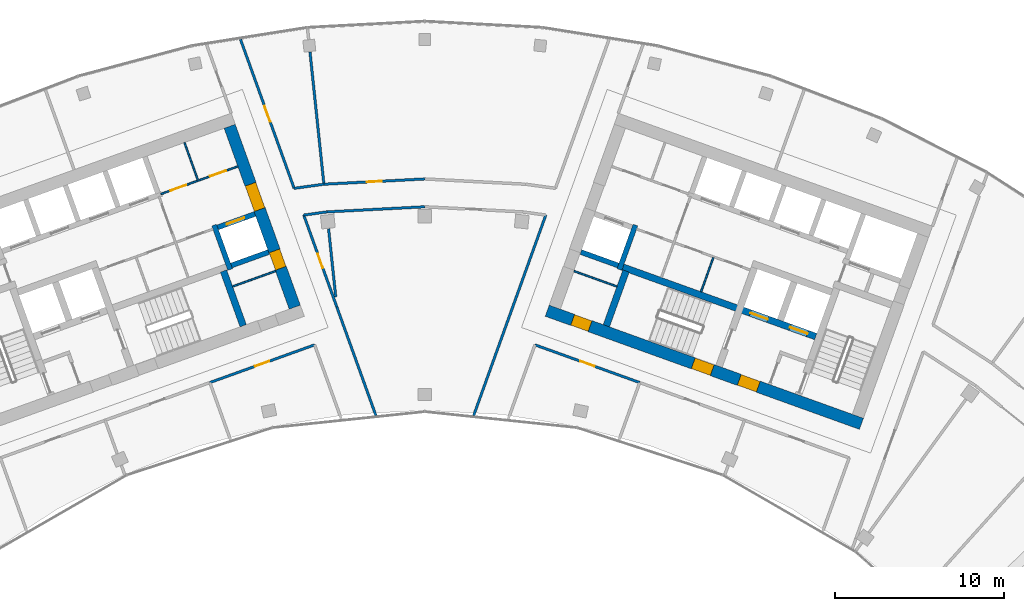
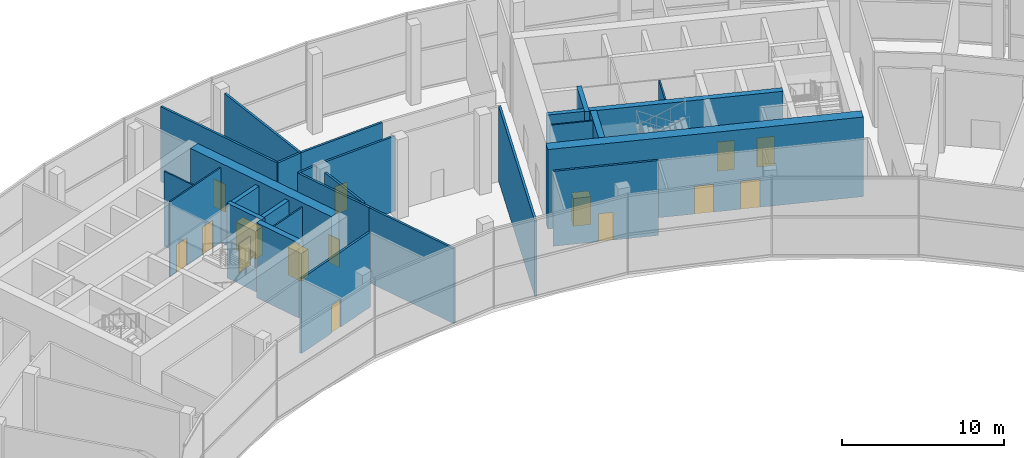
# One storey, part 13 of 18: 27 walls, 15 doors, 15 openings.
"""IFC4 building model written with IfcOpenShell, lengths in metres."""

from ifc_helpers import new_model, si_unit, direction, frame, frame_2d, origin, place, context, subcontext, project, spatial, rectangle, extrude, material, layer, layer_set, type_object, element, fill, save


model = new_model("IFC4")

# Units and contexts
model_context = context("Model", 3, precision=1e-05, world=origin(), true_north=direction((0.0, 1.0)))
body_context = subcontext(model_context, "Body", "Model", "MODEL_VIEW")
ifc_project = project(units=[si_unit("LENGTHUNIT", "METRE"), si_unit("AREAUNIT", "SQUARE_METRE"), si_unit("VOLUMEUNIT", "CUBIC_METRE"), si_unit("PLANEANGLEUNIT", "RADIAN"), si_unit("MASSUNIT", "GRAM", prefix="KILO")], contexts=[model_context])

# Site, building, storey
site_placement = place(None, origin())
site = spatial("IfcSite", under=ifc_project, at=site_placement, CompositionType="ELEMENT")
building_placement = place(site_placement, origin())
building = spatial("IfcBuilding", under=site, at=building_placement, Name="Stone Belt Terrace Tower", CompositionType="ELEMENT")
storey_placement = place(building_placement, frame((0.0, 0.0, 307.39990234375)))
storey = spatial("IfcBuildingStorey", under=building, at=storey_placement, Name="L75", CompositionType="ELEMENT", Elevation=307.39990234375)

# Wall, openings, doors
ifc_material_1 = material(Name="Plasterboard partition")
ifc_layer_1 = layer(ifc_material_1, 0.10009765625)
ifc_layer_set_1 = layer_set([ifc_layer_1], Name="Core partition 100")
wall_type_1 = type_object("IfcWallType", Name="Core partition 100", PredefinedType="PARTITIONING", material=ifc_layer_set_1)
wall_1_placement = place(storey_placement, frame((-15.648681640625, 56.32861328125, 0.0), z_axis=(0.0, 0.0, 1.0), x_axis=(0.940905377977, 0.338669558262, 0.0)))
wall_1 = element("IfcWall", 1, at=wall_1_placement, inside=storey, type_object=wall_type_1, Name="Core A wall", PredefinedType="PARTITIONING", context=body_context, shape_type="SweptSolid", body=[
    extrude(rectangle(XDim=4.85009765625, YDim=0.10009765625, at=frame_2d((2.425048828125, 0.0))), origin(), (0.0, 0.0, 1.0), 5.650146484375),
])
opening_1_placement = place(wall_1_placement, frame((0.60009765625, 0.0, 0.0)))
opening_1 = element("IfcOpeningElement", 2, at=opening_1_placement, cuts=wall_1, Name="Opening L75-C01", PredefinedType="OPENING", context=body_context, shape_type="SweptSolid", body=[
    extrude(rectangle(XDim=1.0, YDim=2.10009765625, at=frame_2d((0.5, 1.050048828125))), frame((0.0, 0.06005859375, 0.0), z_axis=(0.0, -1.0, 0.0), x_axis=(1.0, 0.0, 0.0)), (0.0, 0.0, 1.0), 0.1201171875),
])
opening_2_placement = place(wall_1_placement, frame((3.10009765625, 0.0, 0.0)))
opening_2 = element("IfcOpeningElement", 3, at=opening_2_placement, cuts=wall_1, Name="Opening L75-C02", PredefinedType="OPENING", context=body_context, shape_type="SweptSolid", body=[
    extrude(rectangle(XDim=1.0, YDim=2.10009765625, at=frame_2d((0.5, 1.050048828125))), frame((0.0, 0.06005859375, 0.0), z_axis=(0.0, -1.0, 0.0), x_axis=(1.0, 0.0, 0.0)), (0.0, 0.0, 1.0), 0.1201171875),
])
ifc_material_2 = material(Name="Timber door leaf", Category="wood")
door_type_1 = type_object("IfcDoorType", Name="Core room door 1000", OperationType="SINGLE_SWING_LEFT", PredefinedType="DOOR", material=ifc_material_2)
door_1_placement = place(opening_1_placement, origin())
door_1 = element("IfcDoor", 4, at=door_1_placement, inside=storey, type_object=door_type_1, Name="Door to Plant room core A", OperationType="SINGLE_SWING_LEFT", OverallHeight=2.10009765625, OverallWidth=1.0, PredefinedType="DOOR", context=body_context, shape_type="SweptSolid", body=[
    extrude(rectangle(XDim=1.0, YDim=2.10009765625, at=frame_2d((0.5, 1.050048828125))), frame((0.0, 0.02490234375, 0.0), z_axis=(0.0, -1.0, 0.0), x_axis=(1.0, 0.0, 0.0)), (0.0, 0.0, 1.0), 0.050048828125),
])
fill(opening_1, door_1)
door_2_placement = place(opening_2_placement, origin())
door_2 = element("IfcDoor", 5, at=door_2_placement, inside=storey, type_object=door_type_1, Name="Door to Electrical room core A", OperationType="SINGLE_SWING_RIGHT", OverallHeight=2.10009765625, OverallWidth=1.0, PredefinedType="DOOR", context=body_context, shape_type="SweptSolid", body=[
    extrude(rectangle(XDim=1.0, YDim=2.10009765625, at=frame_2d((0.5, 1.050048828125))), frame((0.0, 0.02490234375, 0.0), z_axis=(0.0, -1.0, 0.0), x_axis=(1.0, 0.0, 0.0)), (0.0, 0.0, 1.0), 0.050048828125),
])
fill(opening_2, door_2)

# Walls
wall_2_placement = place(storey_placement, frame((-11.390869140625, 50.8466796875, 0.0), z_axis=(0.0, 0.0, 1.0), x_axis=(0.940920834877, 0.338626612206, 0.0)))
element("IfcWall", 6, at=wall_2_placement, inside=storey, type_object=wall_type_1, Name="Core A wall", PredefinedType="PARTITIONING", context=body_context, shape_type="SweptSolid", body=[
    extrude(rectangle(XDim=2.699951171875, YDim=0.10009765625, at=frame_2d((1.35009765625, 0.0))), origin(), (0.0, 0.0, 1.0), 5.650146484375),
])
wall_3_placement = place(storey_placement, frame((-13.45458984375, 57.171630859375, 0.0), z_axis=(0.0, 0.0, 1.0), x_axis=(-0.338579668317, 0.940937728121, 0.0)))
element("IfcWall", 7, at=wall_3_placement, inside=storey, type_object=wall_type_1, Name="Core A wall", PredefinedType="PARTITIONING", context=body_context, shape_type="SweptSolid", body=[
    extrude(rectangle(XDim=2.35009765625, YDim=0.10009765625, at=frame_2d((1.175048828125, 0.0))), origin(), (0.0, 0.0, 1.0), 5.650146484375),
])
wall_4_placement = place(storey_placement, frame((16.38134765625, 50.53857421875, 0.0), z_axis=(0.0, 0.0, 1.0), x_axis=(0.338622960269, 0.940922149159, 0.0)))
element("IfcWall", 8, at=wall_4_placement, inside=storey, type_object=wall_type_1, Name="Core B wall", PredefinedType="PARTITIONING", context=body_context, shape_type="SweptSolid", body=[
    extrude(rectangle(XDim=2.14990234375, YDim=0.10009765625, at=frame_2d((1.074951171875, 0.0))), origin(), (0.0, 0.0, 1.0), 5.650146484375),
])
wall_5_placement = place(storey_placement, frame((11.390869140625, 50.8466796875, 0.0), z_axis=(0.0, 0.0, 1.0), x_axis=(-0.940920834877, 0.338626612206, 0.0)))
element("IfcWall", 9, at=wall_5_placement, inside=storey, type_object=wall_type_1, Name="Core B wall", PredefinedType="PARTITIONING", context=body_context, shape_type="SweptSolid", body=[
    extrude(rectangle(XDim=2.699951171875, YDim=0.10009765625, at=frame_2d((1.35009765625, 0.0))), origin(), (0.0, 0.0, 1.0), 5.650146484375),
])

# Wall, openings, doors
ifc_material_3 = material(Name="Concrete B60", Category="concrete")
ifc_layer_2 = layer(ifc_material_3, 0.699951171875)
ifc_layer_set_2 = layer_set([ifc_layer_2], Name="Core wall 700 B60")
wall_type_2 = type_object("IfcWallType", Name="Core wall 700 B60", PredefinedType="SHEAR", material=ifc_layer_set_2)
wall_6_placement = place(storey_placement, frame((-7.70849609375, 49.621337890625, 0.0), z_axis=(0.0, 0.0, 1.0), x_axis=(-0.338606471282, 0.940928083121, 0.0)))
wall_6 = element("IfcWall", 10, at=wall_6_placement, inside=storey, type_object=wall_type_2, Name="Core A wall end_b L75", PredefinedType="SHEAR", context=body_context, shape_type="SweptSolid", body=[
    extrude(rectangle(XDim=11.39990234375, YDim=0.699951171875, at=frame_2d((5.699951171875, 0.0))), origin(), (0.0, 0.0, 1.0), 6.0),
])
opening_3_placement = place(wall_6_placement, frame((6.14990234375, 0.0, 0.0)))
opening_3 = element("IfcOpeningElement", 11, at=opening_3_placement, cuts=wall_6, Name="Opening L75-C09", PredefinedType="OPENING", context=body_context, shape_type="SweptSolid", body=[
    extrude(rectangle(XDim=1.60009765625, YDim=2.10009765625, at=frame_2d((0.800048828125, 1.050048828125))), frame((0.0, 0.35986328125, 0.0), z_axis=(0.0, -1.0, 0.0), x_axis=(1.0, 0.0, 0.0)), (0.0, 0.0, 1.0), 0.719970703125),
])
opening_4_placement = place(wall_6_placement, frame((2.449951171875, 0.0, 0.0)))
opening_4 = element("IfcOpeningElement", 12, at=opening_4_placement, cuts=wall_6, Name="Opening L75-C16", PredefinedType="OPENING", context=body_context, shape_type="SweptSolid", body=[
    extrude(rectangle(XDim=1.10009765625, YDim=2.10009765625, at=frame_2d((0.550048828125, 1.050048828125))), frame((0.0, 0.35986328125, 0.0), z_axis=(0.0, -1.0, 0.0), x_axis=(1.0, 0.0, 0.0)), (0.0, 0.0, 1.0), 0.719970703125),
])
door_type_2 = type_object("IfcDoorType", Name="Core room door 1100", OperationType="SINGLE_SWING_LEFT", PredefinedType="DOOR", material=ifc_material_2)
door_3_placement = place(opening_4_placement, origin())
door_3 = element("IfcDoor", 13, at=door_3_placement, inside=storey, type_object=door_type_2, Name="Door to Observation servery core A", OperationType="SINGLE_SWING_LEFT", OverallHeight=2.10009765625, OverallWidth=1.10009765625, PredefinedType="DOOR", context=body_context, shape_type="SweptSolid", body=[
    extrude(rectangle(XDim=1.10009765625, YDim=2.10009765625, at=frame_2d((0.550048828125, 1.050048828125))), frame((0.0, 0.330078125, 0.0), z_axis=(0.0, -1.0, 0.0), x_axis=(1.0, 0.0, 0.0)), (0.0, 0.0, 1.0), 0.659912109375),
])
fill(opening_4, door_3)
ifc_material_4 = material(Name="Glazed aluminium door leaf", Category="aluminium")
door_type_3 = type_object("IfcDoorType", Name="Lift lobby entrance door 1600", OperationType="DOUBLE_DOOR_SINGLE_SWING", PredefinedType="DOOR", material=ifc_material_4)
door_4_placement = place(opening_3_placement, origin())
door_4 = element("IfcDoor", 14, at=door_4_placement, inside=storey, type_object=door_type_3, Name="Lift lobby entrance door core A", OperationType="DOUBLE_DOOR_SINGLE_SWING", OverallHeight=2.10009765625, OverallWidth=1.60009765625, PredefinedType="DOOR", context=body_context, shape_type="SweptSolid", body=[
    extrude(rectangle(XDim=1.60009765625, YDim=2.10009765625, at=frame_2d((0.800048828125, 1.050048828125))), frame((0.0, 0.330078125, 0.0), z_axis=(0.0, -1.0, 0.0), x_axis=(1.0, 0.0, 0.0)), (0.0, 0.0, 1.0), 0.659912109375),
])
fill(opening_3, door_4)

wall_7_placement = place(storey_placement, frame((7.260498046875, 49.410400390625, 0.0), z_axis=(0.0, 0.0, 1.0), x_axis=(0.940925130461, -0.338614676094, 0.0)))
wall_7 = element("IfcWall", 15, at=wall_7_placement, inside=storey, type_object=wall_type_2, Name="Core B wall concave L75", PredefinedType="SHEAR", context=body_context, shape_type="SweptSolid", body=[
    extrude(rectangle(XDim=19.800048828125, YDim=0.699951171875, at=frame_2d((9.89990234375, 0.0))), origin(), (0.0, 0.0, 1.0), 6.0),
])
opening_5_placement = place(wall_7_placement, frame((12.10009765625, 0.0, 0.0)))
opening_5 = element("IfcOpeningElement", 16, at=opening_5_placement, cuts=wall_7, Name="Opening L75-C28", PredefinedType="OPENING", context=body_context, shape_type="SweptSolid", body=[
    extrude(rectangle(XDim=1.199951171875, YDim=2.10009765625, at=frame_2d((0.60009765625, 1.050048828125))), frame((0.0, 0.35986328125, 0.0), z_axis=(0.0, -1.0, 0.0), x_axis=(1.0, 0.0, 0.0)), (0.0, 0.0, 1.0), 0.719970703125),
])
opening_6_placement = place(wall_7_placement, frame((9.2001953125, 0.0, 0.0)))
opening_6 = element("IfcOpeningElement", 17, at=opening_6_placement, cuts=wall_7, Name="Opening L75-C30", PredefinedType="OPENING", context=body_context, shape_type="SweptSolid", body=[
    extrude(rectangle(XDim=1.199951171875, YDim=2.10009765625, at=frame_2d((0.60009765625, 1.050048828125))), frame((0.0, 0.35986328125, 0.0), z_axis=(0.0, -1.0, 0.0), x_axis=(1.0, 0.0, 0.0)), (0.0, 0.0, 1.0), 0.719970703125),
])
opening_7_placement = place(wall_7_placement, frame((1.60009765625, 0.0, 0.0)))
opening_7 = element("IfcOpeningElement", 18, at=opening_7_placement, cuts=wall_7, Name="Opening L75-C31", PredefinedType="OPENING", context=body_context, shape_type="SweptSolid", body=[
    extrude(rectangle(XDim=1.10009765625, YDim=2.10009765625, at=frame_2d((0.550048828125, 1.050048828125))), frame((0.0, 0.35986328125, 0.0), z_axis=(0.0, -1.0, 0.0), x_axis=(1.0, 0.0, 0.0)), (0.0, 0.0, 1.0), 0.719970703125),
])
door_5_placement = place(opening_7_placement, origin())
door_5 = element("IfcDoor", 19, at=door_5_placement, inside=storey, type_object=door_type_2, Name="Door to Visitor accessible WC core B", OperationType="SINGLE_SWING_LEFT", OverallHeight=2.10009765625, OverallWidth=1.10009765625, PredefinedType="DOOR", context=body_context, shape_type="SweptSolid", body=[
    extrude(rectangle(XDim=1.10009765625, YDim=2.10009765625, at=frame_2d((0.550048828125, 1.050048828125))), frame((0.0, 0.330078125, 0.0), z_axis=(0.0, -1.0, 0.0), x_axis=(1.0, 0.0, 0.0)), (0.0, 0.0, 1.0), 0.659912109375),
])
fill(opening_7, door_5)
ifc_material_5 = material(Name="Steel door leaf", Category="steel")
door_type_4 = type_object("IfcDoorType", Name="Fire-fighting lobby door 1200", OperationType="SINGLE_SWING_LEFT", PredefinedType="DOOR", material=ifc_material_5)
door_6_placement = place(opening_5_placement, origin())
door_6 = element("IfcDoor", 20, at=door_6_placement, inside=storey, type_object=door_type_4, Name="Fire-fighting lobby door core B", OperationType="SINGLE_SWING_RIGHT", OverallHeight=2.10009765625, OverallWidth=1.199951171875, PredefinedType="DOOR", context=body_context, shape_type="SweptSolid", body=[
    extrude(rectangle(XDim=1.199951171875, YDim=2.10009765625, at=frame_2d((0.60009765625, 1.050048828125))), frame((0.0, 0.330078125, 0.0), z_axis=(0.0, -1.0, 0.0), x_axis=(1.0, 0.0, 0.0)), (0.0, 0.0, 1.0), 0.659912109375),
])
fill(opening_5, door_6)
door_type_5 = type_object("IfcDoorType", Name="Stair door 1200", OperationType="SINGLE_SWING_LEFT", PredefinedType="DOOR", material=ifc_material_5)
door_7_placement = place(opening_6_placement, origin())
door_7 = element("IfcDoor", 21, at=door_7_placement, inside=storey, type_object=door_type_5, Name="Stair 2 exit door core B", OperationType="SINGLE_SWING_LEFT", OverallHeight=2.10009765625, OverallWidth=1.199951171875, PredefinedType="DOOR", context=body_context, shape_type="SweptSolid", body=[
    extrude(rectangle(XDim=1.199951171875, YDim=2.10009765625, at=frame_2d((0.60009765625, 1.050048828125))), frame((0.0, 0.330078125, 0.0), z_axis=(0.0, -1.0, 0.0), x_axis=(1.0, 0.0, 0.0)), (0.0, 0.0, 1.0), 0.659912109375),
])
fill(opening_6, door_7)

# Walls
ifc_material_6 = material(Name="Concrete B80", Category="concrete")
ifc_layer_3 = layer(ifc_material_6, 0.300048828125)
ifc_layer_set_3 = layer_set([ifc_layer_3], Name="Lift shaft wall 300")
wall_type_3 = type_object("IfcWallType", Name="Lift shaft wall 300", PredefinedType="SHEAR", material=ifc_layer_set_3)
wall_8_placement = place(storey_placement, frame((-11.541259765625, 51.85546875, 0.0), z_axis=(0.0, 0.0, 1.0), x_axis=(-0.338660803216, 0.940908529223, 0.0)))
element("IfcWall", 22, at=wall_8_placement, inside=storey, type_object=wall_type_3, Name="Core A wall", PredefinedType="SHEAR", context=body_context, shape_type="SweptSolid", body=[
    extrude(rectangle(XDim=2.800048828125, YDim=0.300048828125, at=frame_2d((1.39990234375, 0.0))), origin(), (0.0, 0.0, 1.0), 5.650146484375),
])
wall_9_placement = place(storey_placement, frame((-11.468017578125, 52.09423828125, 0.0), z_axis=(0.0, 0.0, 1.0), x_axis=(0.940904627055, 0.338671644496, 0.0)))
element("IfcWall", 23, at=wall_9_placement, inside=storey, type_object=wall_type_3, Name="Core A wall", PredefinedType="SHEAR", context=body_context, shape_type="SweptSolid", body=[
    extrude(rectangle(XDim=2.35009765625, YDim=0.300048828125, at=frame_2d((1.175048828125, 0.0))), origin(), (0.0, 0.0, 1.0), 5.650146484375),
])

# Wall, opening, door
wall_10_placement = place(storey_placement, frame((-12.280517578125, 54.3525390625, 0.0), z_axis=(0.0, 0.0, 1.0), x_axis=(0.940925816745, 0.338612769078, 0.0)))
wall_10 = element("IfcWall", 24, at=wall_10_placement, inside=storey, type_object=wall_type_3, Name="Core A wall", PredefinedType="SHEAR", context=body_context, shape_type="SweptSolid", body=[
    extrude(rectangle(XDim=2.349853515625, YDim=0.300048828125, at=frame_2d((1.1748046875, 0.0))), origin(), (0.0, 0.0, 1.0), 5.650146484375),
])
opening_8_placement = place(wall_10_placement, frame((0.570068359375, 0.0, 0.0)))
opening_8 = element("IfcOpeningElement", 25, at=opening_8_placement, cuts=wall_10, Name="Opening L75-LD07", PredefinedType="OPENING", context=body_context, shape_type="SweptSolid", body=[
    extrude(rectangle(XDim=1.10009765625, YDim=2.199951171875, at=frame_2d((0.550048828125, 1.10009765625))), frame((0.0, 0.159912109375, 0.0), z_axis=(0.0, -1.0, 0.0), x_axis=(1.0, 0.0, 0.0)), (0.0, 0.0, 1.0), 0.320068359375),
])
ifc_material_7 = material(Name="Stainless steel door leaf", Category="steel")
door_type_6 = type_object("IfcDoorType", Name="Landing door 1100", OperationType="SLIDING_TO_LEFT", PredefinedType="DOOR", material=ifc_material_7)
door_8_placement = place(opening_8_placement, origin())
door_8 = element("IfcDoor", 26, at=door_8_placement, inside=storey, type_object=door_type_6, Name="Landing door OB1 core A", OperationType="SLIDING_TO_LEFT", OverallHeight=2.199951171875, OverallWidth=1.10009765625, PredefinedType="DOOR", context=body_context, shape_type="SweptSolid", body=[
    extrude(rectangle(XDim=1.10009765625, YDim=2.199951171875, at=frame_2d((0.550048828125, 1.10009765625))), frame((0.0, 0.02490234375, 0.0), z_axis=(0.0, -1.0, 0.0), x_axis=(1.0, 0.0, 0.0)), (0.0, 0.0, 1.0), 0.050048828125),
])
fill(opening_8, door_8)

# Walls
wall_11_placement = place(storey_placement, frame((11.541259765625, 51.85546875, 0.0), z_axis=(0.0, 0.0, 1.0), x_axis=(0.338660803216, 0.940908529223, 0.0)))
element("IfcWall", 27, at=wall_11_placement, inside=storey, type_object=wall_type_3, Name="Core B wall", PredefinedType="SHEAR", context=body_context, shape_type="SweptSolid", body=[
    extrude(rectangle(XDim=2.800048828125, YDim=0.300048828125, at=frame_2d((1.39990234375, 0.0))), origin(), (0.0, 0.0, 1.0), 5.650146484375),
])
wall_12_placement = place(storey_placement, frame((11.468017578125, 52.09423828125, 0.0), z_axis=(0.0, 0.0, 1.0), x_axis=(-0.940904627055, 0.338671644496, 0.0)))
element("IfcWall", 28, at=wall_12_placement, inside=storey, type_object=wall_type_3, Name="Core B wall", PredefinedType="SHEAR", context=body_context, shape_type="SweptSolid", body=[
    extrude(rectangle(XDim=2.35009765625, YDim=0.300048828125, at=frame_2d((1.175048828125, 0.0))), origin(), (0.0, 0.0, 1.0), 5.650146484375),
])

# Wall, opening, door
ifc_material_8 = material(Name="Gypsum board partition")
ifc_layer_4 = layer(ifc_material_8, 0.14990234375)
ifc_layer_set_4 = layer_set([ifc_layer_4], Name="PARTITION 150 EI 60")
wall_type_4 = type_object("IfcWallType", Name="PARTITION 150 EI 60", PredefinedType="PARTITIONING", material=ifc_layer_set_4)
wall_13_placement = place(storey_placement, frame((-7.177978515625, 55.089111328125, 0.0), z_axis=(0.0, 0.0, 1.0), x_axis=(0.338629980572, -0.940919622634, 0.0)))
wall_13 = element("IfcWall", 29, at=wall_13_placement, inside=storey, type_object=wall_type_4, Name="L75/wall/i011", PredefinedType="PARTITIONING", context=body_context, shape_type="SweptSolid", body=[
    extrude(rectangle(XDim=5.796630859375, YDim=0.14990234375, at=frame_2d((2.8984375, 0.0))), origin(), (0.0, 0.0, 1.0), 5.650146484375),
])
opening_9_placement = place(wall_13_placement, frame((2.4482421875, 0.0, 0.0)))
opening_9 = element("IfcOpeningElement", 30, at=opening_9_placement, cuts=wall_13, Name="Opening D-OBS-23", PredefinedType="OPENING", context=body_context, shape_type="SweptSolid", body=[
    extrude(rectangle(XDim=0.89990234375, YDim=2.10009765625, at=frame_2d((0.449951171875, 1.050048828125))), frame((0.0, 0.0849609375, 0.0), z_axis=(0.0, -1.0, 0.0), x_axis=(1.0, 0.0, 0.0)), (0.0, 0.0, 1.0), 0.169921875),
])
door_type_7 = type_object("IfcDoorType", Name="OFFICE DOOR 900 X 2100", OperationType="NOTDEFINED", PredefinedType="DOOR", material=ifc_material_2)
door_9_placement = place(opening_9_placement, origin())
door_9 = element("IfcDoor", 31, at=door_9_placement, inside=storey, type_object=door_type_7, Name="L75/door/i23", OperationType="SINGLE_SWING_RIGHT", OverallHeight=2.10009765625, OverallWidth=0.89990234375, PredefinedType="DOOR", context=body_context, shape_type="SweptSolid", body=[
    extrude(rectangle(XDim=0.89990234375, YDim=2.10009765625, at=frame_2d((0.449951171875, 1.050048828125))), frame((0.0, 0.02490234375, 0.0), z_axis=(0.0, -1.0, 0.0), x_axis=(1.0, 0.0, 0.0)), (0.0, 0.0, 1.0), 0.050048828125),
])
fill(opening_9, door_9)

# Wall
wall_14_placement = place(storey_placement, frame((-5.22509765625, 49.6630859375, 0.0), z_axis=(0.0, 0.0, 1.0), x_axis=(0.338558474785, -0.940945353966, 0.0)))
element("IfcWall", 32, at=wall_14_placement, inside=storey, type_object=wall_type_4, Name="L75/wall/i012", PredefinedType="PARTITIONING", context=body_context, shape_type="SweptSolid", body=[
    extrude(rectangle(XDim=6.873779296875, YDim=0.14990234375, at=frame_2d((3.43701171875, 0.0))), origin(), (0.0, 0.0, 1.0), 5.650146484375),
])

# Wall, opening, door
wall_15_placement = place(storey_placement, frame((-10.9267578125, 65.504150390625, 0.0), z_axis=(0.0, 0.0, 1.0), x_axis=(0.338644933311, -0.94091424112, 0.0)))
wall_15 = element("IfcWall", 33, at=wall_15_placement, inside=storey, type_object=wall_type_4, Name="L75/wall/i013", PredefinedType="PARTITIONING", context=body_context, shape_type="SweptSolid", body=[
    extrude(rectangle(XDim=9.395263671875, YDim=0.14990234375, at=frame_2d((4.69775390625, 0.0))), origin(), (0.0, 0.0, 1.0), 5.650146484375),
])
opening_10_placement = place(wall_15_placement, frame((4.19775390625, 0.0, 0.0)))
opening_10 = element("IfcOpeningElement", 34, at=opening_10_placement, cuts=wall_15, Name="Opening D-OBS-25", PredefinedType="OPENING", context=body_context, shape_type="SweptSolid", body=[
    extrude(rectangle(XDim=1.0, YDim=2.10009765625, at=frame_2d((0.5, 1.050048828125))), frame((0.0, 0.0849609375, 0.0), z_axis=(0.0, -1.0, 0.0), x_axis=(1.0, 0.0, 0.0)), (0.0, 0.0, 1.0), 0.169921875),
])
ifc_material_9 = material(Name="Timber fire door leaf", Category="wood")
door_type_8 = type_object("IfcDoorType", Name="TENANCY ENTRANCE DOOR 1000 X 2100", OperationType="NOTDEFINED", PredefinedType="DOOR", material=ifc_material_9)
door_10_placement = place(opening_10_placement, origin())
door_10 = element("IfcDoor", 35, at=door_10_placement, inside=storey, type_object=door_type_8, Name="L75/door/i25", OperationType="SINGLE_SWING_RIGHT", OverallHeight=2.10009765625, OverallWidth=1.0, PredefinedType="DOOR", context=body_context, shape_type="SweptSolid", body=[
    extrude(rectangle(XDim=1.0, YDim=2.10009765625, at=frame_2d((0.5, 1.050048828125))), frame((0.0, 0.02490234375, 0.0), z_axis=(0.0, -1.0, 0.0), x_axis=(1.0, 0.0, 0.0)), (0.0, 0.0, 1.0), 0.050048828125),
])
fill(opening_10, door_10)

wall_16_placement = place(storey_placement, frame((-6.532958984375, 47.387939453125, 0.0), z_axis=(0.0, 0.0, 1.0), x_axis=(-0.940922268526, -0.338622628589, 0.0)))
wall_16 = element("IfcWall", 36, at=wall_16_placement, inside=storey, type_object=wall_type_4, Name="L75/wall/i016", PredefinedType="PARTITIONING", context=body_context, shape_type="SweptSolid", body=[
    extrude(rectangle(XDim=6.6064453125, YDim=0.14990234375, at=frame_2d((3.30322265625, 0.0))), origin(), (0.0, 0.0, 1.0), 5.650146484375),
])
opening_11_placement = place(wall_16_placement, frame((2.85302734375, 0.0, 0.0)))
opening_11 = element("IfcOpeningElement", 37, at=opening_11_placement, cuts=wall_16, Name="Opening D-OBS-03", PredefinedType="OPENING", context=body_context, shape_type="SweptSolid", body=[
    extrude(rectangle(XDim=0.89990234375, YDim=2.10009765625, at=frame_2d((0.449951171875, 1.050048828125))), frame((0.0, 0.0849609375, 0.0), z_axis=(0.0, -1.0, 0.0), x_axis=(1.0, 0.0, 0.0)), (0.0, 0.0, 1.0), 0.169921875),
])
door_11_placement = place(opening_11_placement, origin())
door_11 = element("IfcDoor", 38, at=door_11_placement, inside=storey, type_object=door_type_7, Name="L75/door/i03", OperationType="SINGLE_SWING_RIGHT", OverallHeight=2.10009765625, OverallWidth=0.89990234375, PredefinedType="DOOR", context=body_context, shape_type="SweptSolid", body=[
    extrude(rectangle(XDim=0.89990234375, YDim=2.10009765625, at=frame_2d((0.449951171875, 1.050048828125))), frame((0.0, 0.02490234375, 0.0), z_axis=(0.0, -1.0, 0.0), x_axis=(1.0, 0.0, 0.0)), (0.0, 0.0, 1.0), 0.050048828125),
])
fill(opening_11, door_11)

# Wall
wall_17_placement = place(storey_placement, frame((2.89794921875, 43.1953125, 0.0), z_axis=(0.0, 0.0, 1.0), x_axis=(0.338597725617, 0.940931230328, 0.0)))
element("IfcWall", 39, at=wall_17_placement, inside=storey, type_object=wall_type_4, Name="L75/wall/i023", PredefinedType="PARTITIONING", context=body_context, shape_type="SweptSolid", body=[
    extrude(rectangle(XDim=12.640380859375, YDim=0.14990234375, at=frame_2d((6.3203125, 0.0))), origin(), (0.0, 0.0, 1.0), 5.650146484375),
])

# Wall, opening, door
wall_18_placement = place(storey_placement, frame((12.7490234375, 45.15087890625, 0.0), z_axis=(0.0, 0.0, 1.0), x_axis=(-0.940922268526, 0.338622628589, 0.0)))
wall_18 = element("IfcWall", 40, at=wall_18_placement, inside=storey, type_object=wall_type_4, Name="L75/wall/i031", PredefinedType="PARTITIONING", context=body_context, shape_type="SweptSolid", body=[
    extrude(rectangle(XDim=6.6064453125, YDim=0.14990234375, at=frame_2d((3.30322265625, 0.0))), origin(), (0.0, 0.0, 1.0), 5.650146484375),
])
opening_12_placement = place(wall_18_placement, frame((2.85302734375, 0.0, 0.0)))
opening_12 = element("IfcOpeningElement", 41, at=opening_12_placement, cuts=wall_18, Name="Opening D-OBS-06", PredefinedType="OPENING", context=body_context, shape_type="SweptSolid", body=[
    extrude(rectangle(XDim=0.89990234375, YDim=2.10009765625, at=frame_2d((0.449951171875, 1.050048828125))), frame((0.0, 0.0849609375, 0.0), z_axis=(0.0, -1.0, 0.0), x_axis=(1.0, 0.0, 0.0)), (0.0, 0.0, 1.0), 0.169921875),
])
door_12_placement = place(opening_12_placement, origin())
door_12 = element("IfcDoor", 42, at=door_12_placement, inside=storey, type_object=door_type_7, Name="L75/door/i06", OperationType="SINGLE_SWING_RIGHT", OverallHeight=2.10009765625, OverallWidth=0.89990234375, PredefinedType="DOOR", context=body_context, shape_type="SweptSolid", body=[
    extrude(rectangle(XDim=0.89990234375, YDim=2.10009765625, at=frame_2d((0.449951171875, 1.050048828125))), frame((0.0, 0.02490234375, 0.0), z_axis=(0.0, -1.0, 0.0), x_axis=(1.0, 0.0, 0.0)), (0.0, 0.0, 1.0), 0.050048828125),
])
fill(opening_12, door_12)

# Walls
wall_19_placement = place(storey_placement, frame((-5.80908203125, 55.27099609375, 0.0), z_axis=(0.0, 0.0, 1.0), x_axis=(-0.990675556397, -0.136242217972, 0.0)))
element("IfcWall", 43, at=wall_19_placement, inside=storey, type_object=wall_type_4, Name="L75/wall/i067", PredefinedType="PARTITIONING", context=body_context, shape_type="SweptSolid", body=[
    extrude(rectangle(XDim=1.3798828125, YDim=0.14990234375, at=frame_2d((0.68994140625, 0.0))), origin(), (0.0, 0.0, 1.0), 5.650146484375),
])
wall_20_placement = place(storey_placement, frame((0.0, 55.574951171875, 0.0), z_axis=(0.0, 0.0, 1.0), x_axis=(-0.998633897938, -0.052252635241, 0.0)))
element("IfcWall", 44, at=wall_20_placement, inside=storey, type_object=wall_type_4, Name="L75/wall/i070", PredefinedType="PARTITIONING", context=body_context, shape_type="SweptSolid", body=[
    extrude(rectangle(XDim=5.817138671875, YDim=0.14990234375, at=frame_2d((2.90869140625, 0.0))), origin(), (0.0, 0.0, 1.0), 5.650146484375),
])
wall_21_placement = place(storey_placement, frame((-7.7470703125, 56.669921875, 0.0), z_axis=(0.0, 0.0, 1.0), x_axis=(0.990718093798, 0.135932551735, 0.0)))
element("IfcWall", 45, at=wall_21_placement, inside=storey, type_object=wall_type_4, Name="L75/wall/i071", PredefinedType="PARTITIONING", context=body_context, shape_type="SweptSolid", body=[
    extrude(rectangle(XDim=1.78173828125, YDim=0.14990234375, at=frame_2d((0.890869140625, 0.0))), origin(), (0.0, 0.0, 1.0), 5.650146484375),
])

# Wall, opening, door
wall_22_placement = place(storey_placement, frame((-5.98193359375, 56.912109375, 0.0), z_axis=(0.0, 0.0, 1.0), x_axis=(0.998633994648, 0.052250786921, 0.0)))
wall_22 = element("IfcWall", 46, at=wall_22_placement, inside=storey, type_object=wall_type_4, Name="L75/wall/i072", PredefinedType="PARTITIONING", context=body_context, shape_type="SweptSolid", body=[
    extrude(rectangle(XDim=5.990234375, YDim=0.14990234375, at=frame_2d((2.9951171875, 0.0))), origin(), (0.0, 0.0, 1.0), 5.650146484375),
])
opening_13_placement = place(wall_22_placement, frame((2.545166015625, 0.0, 0.0)))
opening_13 = element("IfcOpeningElement", 47, at=opening_13_placement, cuts=wall_22, Name="Opening D-OBS-26", PredefinedType="OPENING", context=body_context, shape_type="SweptSolid", body=[
    extrude(rectangle(XDim=0.89990234375, YDim=2.10009765625, at=frame_2d((0.449951171875, 1.050048828125))), frame((0.0, 0.0849609375, 0.0), z_axis=(0.0, -1.0, 0.0), x_axis=(1.0, 0.0, 0.0)), (0.0, 0.0, 1.0), 0.169921875),
])
door_13_placement = place(opening_13_placement, origin())
door_13 = element("IfcDoor", 48, at=door_13_placement, inside=storey, type_object=door_type_7, Name="L75/door/i26", OperationType="SINGLE_SWING_RIGHT", OverallHeight=2.10009765625, OverallWidth=0.89990234375, PredefinedType="DOOR", context=body_context, shape_type="SweptSolid", body=[
    extrude(rectangle(XDim=0.89990234375, YDim=2.10009765625, at=frame_2d((0.449951171875, 1.050048828125))), frame((0.0, 0.02490234375, 0.0), z_axis=(0.0, -1.0, 0.0), x_axis=(1.0, 0.0, 0.0)), (0.0, 0.0, 1.0), 0.050048828125),
])
fill(opening_13, door_13)

# Walls
wall_23_placement = place(storey_placement, frame((-5.703857421875, 54.27099609375, 0.0), z_axis=(0.0, 0.0, 1.0), x_axis=(0.104543798856, -0.994520283413, 0.0)))
element("IfcWall", 49, at=wall_23_placement, inside=storey, type_object=wall_type_4, Name="L75/wall/i075", PredefinedType="PARTITIONING", context=body_context, shape_type="SweptSolid", body=[
    extrude(rectangle(XDim=4.056396484375, YDim=0.14990234375, at=frame_2d((2.0283203125, 0.0))), origin(), (0.0, 0.0, 1.0), 5.650146484375),
])
wall_24_placement = place(storey_placement, frame((-6.80615234375, 64.752197265625, 0.0), z_axis=(0.0, 0.0, 1.0), x_axis=(0.104552591052, -0.99451935914, 0.0)))
element("IfcWall", 50, at=wall_24_placement, inside=storey, type_object=wall_type_4, Name="L75/wall/i077", PredefinedType="PARTITIONING", context=body_context, shape_type="SweptSolid", body=[
    extrude(rectangle(XDim=7.88330078125, YDim=0.14990234375, at=frame_2d((3.941650390625, 0.0))), origin(), (0.0, 0.0, 1.0), 5.650146484375),
])
ifc_layer_5 = layer(ifc_material_6, 0.39990234375)
ifc_layer_set_5 = layer_set([ifc_layer_5], Name="Stair enclosure wall 400")
wall_type_5 = type_object("IfcWallType", Name="Stair enclosure wall 400", PredefinedType="SHEAR", material=ifc_layer_set_5)
wall_25_placement = place(storey_placement, frame((-10.766357421875, 48.520751953125, 0.0), z_axis=(0.0, 0.0, 1.0), x_axis=(-0.338621735342, 0.94092258999, 0.0)))
element("IfcWall", 51, at=wall_25_placement, inside=storey, type_object=wall_type_5, Name="Core A wall", PredefinedType="SHEAR", context=body_context, shape_type="SweptSolid", body=[
    extrude(rectangle(XDim=3.449951171875, YDim=0.39990234375, at=frame_2d((1.72509765625, 0.0))), origin(), (0.0, 0.0, 1.0), 5.650146484375),
])

# Wall, openings, doors
wall_26_placement = place(storey_placement, frame((23.182373046875, 47.87841796875, 0.0), z_axis=(0.0, 0.0, 1.0), x_axis=(-0.940921731919, 0.338624119641, 0.0)))
wall_26 = element("IfcWall", 52, at=wall_26_placement, inside=storey, type_object=wall_type_5, Name="Core B wall", PredefinedType="SHEAR", context=body_context, shape_type="SweptSolid", body=[
    extrude(rectangle(XDim=12.14990234375, YDim=0.39990234375, at=frame_2d((6.074951171875, 0.0))), origin(), (0.0, 0.0, 1.0), 5.650146484375),
])
opening_14_placement = place(wall_26_placement, frame((0.52001953125, 0.0, 0.0)))
opening_14 = element("IfcOpeningElement", 53, at=opening_14_placement, cuts=wall_26, Name="Opening L75-LD13", PredefinedType="OPENING", context=body_context, shape_type="SweptSolid", body=[
    extrude(rectangle(XDim=1.10009765625, YDim=2.199951171875, at=frame_2d((0.550048828125, 1.10009765625))), frame((0.0, 0.2099609375, 0.0), z_axis=(0.0, -1.0, 0.0), x_axis=(1.0, 0.0, 0.0)), (0.0, 0.0, 1.0), 0.419921875),
])
opening_15_placement = place(wall_26_placement, frame((3.02001953125, 0.0, 0.0)))
opening_15 = element("IfcOpeningElement", 54, at=opening_15_placement, cuts=wall_26, Name="Opening L75-LD14", PredefinedType="OPENING", context=body_context, shape_type="SweptSolid", body=[
    extrude(rectangle(XDim=1.10009765625, YDim=2.199951171875, at=frame_2d((0.550048828125, 1.10009765625))), frame((0.0, 0.2099609375, 0.0), z_axis=(0.0, -1.0, 0.0), x_axis=(1.0, 0.0, 0.0)), (0.0, 0.0, 1.0), 0.419921875),
])
door_14_placement = place(opening_14_placement, origin())
door_14 = element("IfcDoor", 55, at=door_14_placement, inside=storey, type_object=door_type_6, Name="Landing door FF1 core B", OperationType="SLIDING_TO_LEFT", OverallHeight=2.199951171875, OverallWidth=1.10009765625, PredefinedType="DOOR", context=body_context, shape_type="SweptSolid", body=[
    extrude(rectangle(XDim=1.10009765625, YDim=2.199951171875, at=frame_2d((0.550048828125, 1.10009765625))), frame((0.0, 0.02490234375, 0.0), z_axis=(0.0, -1.0, 0.0), x_axis=(1.0, 0.0, 0.0)), (0.0, 0.0, 1.0), 0.050048828125),
])
fill(opening_14, door_14)
door_15_placement = place(opening_15_placement, origin())
door_15 = element("IfcDoor", 56, at=door_15_placement, inside=storey, type_object=door_type_6, Name="Landing door FF2 core B", OperationType="SLIDING_TO_LEFT", OverallHeight=2.199951171875, OverallWidth=1.10009765625, PredefinedType="DOOR", context=body_context, shape_type="SweptSolid", body=[
    extrude(rectangle(XDim=1.10009765625, YDim=2.199951171875, at=frame_2d((0.550048828125, 1.10009765625))), frame((0.0, 0.02490234375, 0.0), z_axis=(0.0, -1.0, 0.0), x_axis=(1.0, 0.0, 0.0)), (0.0, 0.0, 1.0), 0.050048828125),
])
fill(opening_15, door_15)

# Wall
wall_27_placement = place(storey_placement, frame((10.766357421875, 48.520751953125, 0.0), z_axis=(0.0, 0.0, 1.0), x_axis=(0.338621735342, 0.94092258999, 0.0)))
element("IfcWall", 57, at=wall_27_placement, inside=storey, type_object=wall_type_5, Name="Core B wall", PredefinedType="SHEAR", context=body_context, shape_type="SweptSolid", body=[
    extrude(rectangle(XDim=3.449951171875, YDim=0.39990234375, at=frame_2d((1.72509765625, 0.0))), origin(), (0.0, 0.0, 1.0), 5.650146484375),
])

save(model, "model.ifc")
